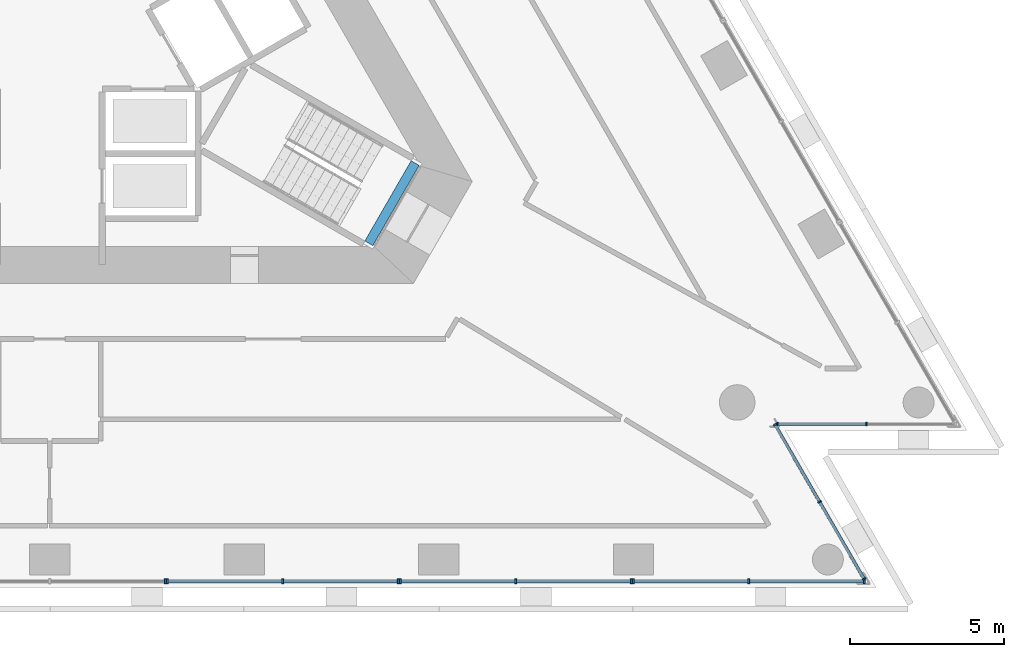
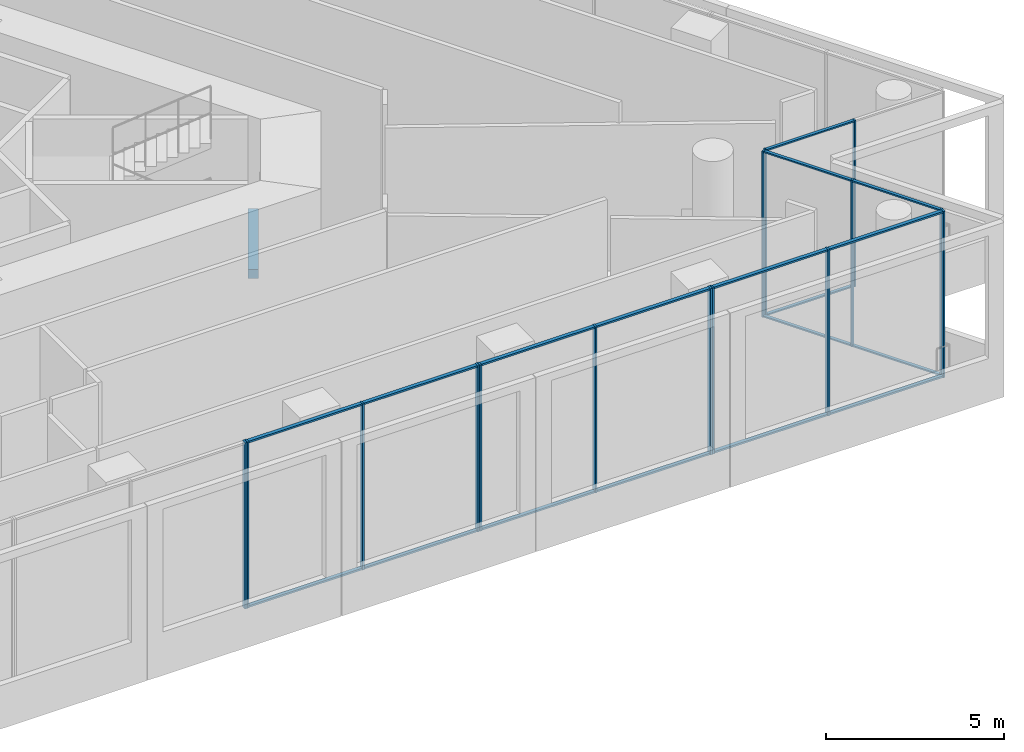
# One storey, part 5 of 18: 33 members, 1 beam, 6 elements without a shape of their own.
"""IFC4 building model written with IfcOpenShell, lengths in metres."""

from ifc_helpers import new_model, si_unit, direction, frame, origin, origin_2d, place, context, subcontext, project, spatial, rectangle, extrude, material, layer, layer_set, material_profile, profile_set, type_object, element, aggregate, save


model = new_model("IFC4")

# Units and contexts
model_context = context("Model", 3, precision=1e-05, world=origin(), true_north=direction((0.0, 1.0)))
body_context = subcontext(model_context, "Body", "Model", "MODEL_VIEW")
ifc_project = project(units=[si_unit("LENGTHUNIT", "METRE"), si_unit("AREAUNIT", "SQUARE_METRE"), si_unit("VOLUMEUNIT", "CUBIC_METRE"), si_unit("PLANEANGLEUNIT", "RADIAN"), si_unit("MASSUNIT", "GRAM", prefix="KILO")], contexts=[model_context])

# Site, building, storey
site_placement = place(None, origin())
site = spatial("IfcSite", under=ifc_project, at=site_placement, CompositionType="ELEMENT")
building_placement = place(site_placement, origin())
building = spatial("IfcBuilding", under=site, at=building_placement, Name="Triada Interchange Tower", CompositionType="ELEMENT")
storey_placement = place(building_placement, frame((0.0, 0.0, 185.300048828125)))
storey = spatial("IfcBuildingStorey", under=building, at=storey_placement, Name="L43", CompositionType="ELEMENT", Elevation=185.300048828125)

# Beam
ifc_material_1 = material(Name="Concrete C35/45", Category="concrete")
ifc_material_profile_1 = material_profile(ifc_material_1, rectangle(XDim=0.300048828125, YDim=0.300048828125, at=origin_2d()), Name="RC 300x300")
ifc_profile_set_1 = profile_set([ifc_material_profile_1], Name="Concrete C35/45")
beam_type = type_object("IfcBeamType", Name="Landing support beam RC 300x300", PredefinedType="BEAM", material=ifc_profile_set_1)
beam_placement = place(storey_placement, frame((10.3349609375, -7.698974609375, 2.491943359375), z_axis=(0.50002537861, 0.866010750942, 0.0), x_axis=(-0.866010750942, 0.50002537861, 0.0)))
element("IfcBeam", 1, at=beam_placement, inside=storey, type_object=beam_type, Name="Landing support beam S43-3 1", PredefinedType="BEAM", context=body_context, shape_type="SweptSolid", body=[
    extrude(rectangle(XDim=0.300048828125, YDim=0.300048828125, at=origin_2d()), origin(), (0.0, 0.0, 1.0), 2.999755859375),
])

# Curtain wall, member
ifc_material_2 = material(Name="Aluminium framed glazing", Category="aluminium")
ifc_layer_1 = layer(ifc_material_2, 0.199951171875)
ifc_layer_set_1 = layer_set([ifc_layer_1], Name="Curtain wall Sky lobby glazing")
curtain_wall_type_1 = type_object("IfcCurtainWallType", Name="Curtain wall Sky lobby glazing", PredefinedType="NOTDEFINED", material=ifc_layer_set_1)
curtain_wall_1_placement = place(storey_placement, origin())
curtain_wall_1 = element("IfcCurtainWall", 2, at=curtain_wall_1_placement, inside=storey, type_object=curtain_wall_type_1, Name="Sky lobby glazing CW113 L43", PredefinedType="NOTDEFINED")
ifc_material_3 = material(Name="Aluminium", Category="aluminium")
ifc_material_profile_2 = material_profile(ifc_material_3, rectangle(XDim=0.159912109375, YDim=0.06005859375, at=origin_2d()), Name="Aluminium mullion")
ifc_profile_set_2 = profile_set([ifc_material_profile_2], Name="Aluminium")
member_type_1 = type_object("IfcMemberType", Name="Mullion Sky lobby glazing 160x60", PredefinedType="MULLION", material=ifc_profile_set_2)
member_1_placement = place(storey_placement, frame((3.738037109375, -18.64111328125, 0.0), z_axis=(0.0, 0.0, 1.0), x_axis=(0.0, 1.0, 0.0)))
member_1 = element("IfcMember", 3, at=member_1_placement, type_object=member_type_1, Name="CW113 mullion 3", PredefinedType="MULLION", context=body_context, shape_type="SweptSolid", body=[
    extrude(rectangle(XDim=0.159912109375, YDim=0.06005859375, at=origin_2d()), origin(), (0.0, 0.0, 1.0), 5.699951171875),
])
aggregate(curtain_wall_1, [member_1])

# Curtain wall, members
curtain_wall_2_placement = place(storey_placement, origin())
curtain_wall_2 = element("IfcCurtainWall", 4, at=curtain_wall_2_placement, inside=storey, type_object=curtain_wall_type_1, Name="Sky lobby glazing CW114 L43", PredefinedType="NOTDEFINED")
member_2_placement = place(storey_placement, frame((3.80810546875, -18.64111328125, 0.0), z_axis=(0.0, 0.0, 1.0), x_axis=(0.0, 1.0, 0.0)))
member_2 = element("IfcMember", 5, at=member_2_placement, type_object=member_type_1, Name="CW114 mullion 1", PredefinedType="MULLION", context=body_context, shape_type="SweptSolid", body=[
    extrude(rectangle(XDim=0.159912109375, YDim=0.06005859375, at=origin_2d()), origin(), (0.0, 0.0, 1.0), 5.699951171875),
])
member_3_placement = place(storey_placement, frame((7.54638671875, -18.64111328125, 0.0), z_axis=(0.0, 0.0, 1.0), x_axis=(0.0, 1.0, 0.0)))
member_3 = element("IfcMember", 6, at=member_3_placement, type_object=member_type_1, Name="CW114 mullion 2", PredefinedType="MULLION", context=body_context, shape_type="SweptSolid", body=[
    extrude(rectangle(XDim=0.159912109375, YDim=0.06005859375, at=origin_2d()), origin(), (0.0, 0.0, 1.0), 5.699951171875),
])
member_4_placement = place(storey_placement, frame((11.284912109375, -18.64111328125, 0.0), z_axis=(0.0, 0.0, 1.0), x_axis=(0.0, 1.0, 0.0)))
member_4 = element("IfcMember", 7, at=member_4_placement, type_object=member_type_1, Name="CW114 mullion 3", PredefinedType="MULLION", context=body_context, shape_type="SweptSolid", body=[
    extrude(rectangle(XDim=0.159912109375, YDim=0.06005859375, at=origin_2d()), origin(), (0.0, 0.0, 1.0), 5.699951171875),
])

curtain_wall_3_placement = place(storey_placement, origin())
curtain_wall_3 = element("IfcCurtainWall", 8, at=curtain_wall_3_placement, inside=storey, type_object=curtain_wall_type_1, Name="Sky lobby glazing CW115 L43", PredefinedType="NOTDEFINED")
member_5_placement = place(storey_placement, frame((11.35498046875, -18.64111328125, 0.0), z_axis=(0.0, 0.0, 1.0), x_axis=(0.0, 1.0, 0.0)))
member_5 = element("IfcMember", 9, at=member_5_placement, type_object=member_type_1, Name="CW115 mullion 1", PredefinedType="MULLION", context=body_context, shape_type="SweptSolid", body=[
    extrude(rectangle(XDim=0.159912109375, YDim=0.06005859375, at=origin_2d()), origin(), (0.0, 0.0, 1.0), 5.699951171875),
])
member_6_placement = place(storey_placement, frame((15.093505859375, -18.64111328125, 0.0), z_axis=(0.0, 0.0, 1.0), x_axis=(0.0, 1.0, 0.0)))
member_6 = element("IfcMember", 10, at=member_6_placement, type_object=member_type_1, Name="CW115 mullion 2", PredefinedType="MULLION", context=body_context, shape_type="SweptSolid", body=[
    extrude(rectangle(XDim=0.159912109375, YDim=0.06005859375, at=origin_2d()), origin(), (0.0, 0.0, 1.0), 5.699951171875),
])
member_7_placement = place(storey_placement, frame((18.83203125, -18.64111328125, 0.0), z_axis=(0.0, 0.0, 1.0), x_axis=(0.0, 1.0, 0.0)))
member_7 = element("IfcMember", 11, at=member_7_placement, type_object=member_type_1, Name="CW115 mullion 3", PredefinedType="MULLION", context=body_context, shape_type="SweptSolid", body=[
    extrude(rectangle(XDim=0.159912109375, YDim=0.06005859375, at=origin_2d()), origin(), (0.0, 0.0, 1.0), 5.699951171875),
])

curtain_wall_4_placement = place(storey_placement, origin())
curtain_wall_4 = element("IfcCurtainWall", 12, at=curtain_wall_4_placement, inside=storey, type_object=curtain_wall_type_1, Name="Sky lobby glazing CW116 L43", PredefinedType="NOTDEFINED")
member_8_placement = place(storey_placement, frame((18.902099609375, -18.64111328125, 0.0), z_axis=(0.0, 0.0, 1.0), x_axis=(0.0, 1.0, 0.0)))
member_8 = element("IfcMember", 13, at=member_8_placement, type_object=member_type_1, Name="CW116 mullion 1", PredefinedType="MULLION", context=body_context, shape_type="SweptSolid", body=[
    extrude(rectangle(XDim=0.159912109375, YDim=0.06005859375, at=origin_2d()), origin(), (0.0, 0.0, 1.0), 5.699951171875),
])
member_9_placement = place(storey_placement, frame((22.64306640625, -18.64111328125, 0.0), z_axis=(0.0, 0.0, 1.0), x_axis=(0.0, 1.0, 0.0)))
member_9 = element("IfcMember", 14, at=member_9_placement, type_object=member_type_1, Name="CW116 mullion 2", PredefinedType="MULLION", context=body_context, shape_type="SweptSolid", body=[
    extrude(rectangle(XDim=0.159912109375, YDim=0.06005859375, at=origin_2d()), origin(), (0.0, 0.0, 1.0), 5.699951171875),
])
member_10_placement = place(storey_placement, frame((26.384033203125, -18.64111328125, 0.0), z_axis=(0.0, 0.0, 1.0), x_axis=(0.0, 1.0, 0.0)))
member_10 = element("IfcMember", 15, at=member_10_placement, type_object=member_type_1, Name="CW116 mullion 3", PredefinedType="MULLION", context=body_context, shape_type="SweptSolid", body=[
    extrude(rectangle(XDim=0.159912109375, YDim=0.06005859375, at=origin_2d()), origin(), (0.0, 0.0, 1.0), 5.699951171875),
])

ifc_layer_2 = layer(ifc_material_2, 0.199951171875)
ifc_layer_set_2 = layer_set([ifc_layer_2], Name="Curtain wall Winter garden glazing")
curtain_wall_type_2 = type_object("IfcCurtainWallType", Name="Curtain wall Winter garden glazing", PredefinedType="NOTDEFINED", material=ifc_layer_set_2)
curtain_wall_5_placement = place(storey_placement, origin())
curtain_wall_5 = element("IfcCurtainWall", 16, at=curtain_wall_5_placement, inside=storey, type_object=curtain_wall_type_2, Name="Winter garden glazing CW117 L43", PredefinedType="NOTDEFINED")
ifc_material_profile_3 = material_profile(ifc_material_3, rectangle(XDim=0.1201171875, YDim=0.050048828125, at=origin_2d()), Name="Aluminium mullion")
ifc_profile_set_3 = profile_set([ifc_material_profile_3], Name="Aluminium")
member_type_2 = type_object("IfcMemberType", Name="Mullion Winter garden glazing 120x50", PredefinedType="MULLION", material=ifc_profile_set_3)
member_11_placement = place(storey_placement, frame((26.37158203125, -18.5673828125, 0.0), z_axis=(0.0, 0.0, 1.0), x_axis=(-0.866022320766, -0.500005339907, 0.0)))
member_11 = element("IfcMember", 17, at=member_11_placement, type_object=member_type_2, Name="CW117 mullion 1", PredefinedType="MULLION", context=body_context, shape_type="SweptSolid", body=[
    extrude(rectangle(XDim=0.1201171875, YDim=0.050048828125, at=origin_2d()), origin(), (0.0, 0.0, 1.0), 5.699951171875),
])
member_12_placement = place(storey_placement, frame((24.930419921875, -16.071533203125, 0.0), z_axis=(0.0, 0.0, 1.0), x_axis=(-0.866022320766, -0.500005339907, 0.0)))
member_12 = element("IfcMember", 18, at=member_12_placement, type_object=member_type_2, Name="CW117 mullion 2", PredefinedType="MULLION", context=body_context, shape_type="SweptSolid", body=[
    extrude(rectangle(XDim=0.1201171875, YDim=0.050048828125, at=origin_2d()), origin(), (0.0, 0.0, 1.0), 5.699951171875),
])
member_13_placement = place(storey_placement, frame((23.489501953125, -13.57568359375, 0.0), z_axis=(0.0, 0.0, 1.0), x_axis=(-0.866022320766, -0.500005339907, 0.0)))
member_13 = element("IfcMember", 19, at=member_13_placement, type_object=member_type_2, Name="CW117 mullion 3", PredefinedType="MULLION", context=body_context, shape_type="SweptSolid", body=[
    extrude(rectangle(XDim=0.1201171875, YDim=0.050048828125, at=origin_2d()), origin(), (0.0, 0.0, 1.0), 5.699951171875),
])

curtain_wall_6_placement = place(storey_placement, origin())
curtain_wall_6 = element("IfcCurtainWall", 20, at=curtain_wall_6_placement, inside=storey, type_object=curtain_wall_type_2, Name="Winter garden glazing CW118 L43", PredefinedType="NOTDEFINED")
member_14_placement = place(storey_placement, frame((23.56201171875, -13.553955078125, 0.0), z_axis=(0.0, 0.0, 1.0), x_axis=(0.0, 1.0, 0.0)))
member_14 = element("IfcMember", 21, at=member_14_placement, type_object=member_type_2, Name="CW118 mullion 1", PredefinedType="MULLION", context=body_context, shape_type="SweptSolid", body=[
    extrude(rectangle(XDim=0.1201171875, YDim=0.050048828125, at=origin_2d()), origin(), (0.0, 0.0, 1.0), 5.699951171875),
])
member_15_placement = place(storey_placement, frame((26.444091796875, -13.553955078125, 0.0), z_axis=(0.0, 0.0, 1.0), x_axis=(0.0, 1.0, 0.0)))
member_15 = element("IfcMember", 22, at=member_15_placement, type_object=member_type_2, Name="CW118 mullion 2", PredefinedType="MULLION", context=body_context, shape_type="SweptSolid", body=[
    extrude(rectangle(XDim=0.1201171875, YDim=0.050048828125, at=origin_2d()), origin(), (0.0, 0.0, 1.0), 5.699951171875),
])

# Member
ifc_material_profile_4 = material_profile(ifc_material_3, rectangle(XDim=0.1201171875, YDim=0.06005859375, at=origin_2d()), Name="Aluminium transom")
ifc_profile_set_4 = profile_set([ifc_material_profile_4], Name="Aluminium")
member_type_3 = type_object("IfcMemberType", Name="Transom Sky lobby glazing 120x60", PredefinedType="USERDEFINED", material=ifc_profile_set_4)
member_16_placement = place(storey_placement, frame((3.837890625, -18.64111328125, 0.030029296875), z_axis=(1.0, 0.0, 0.0), x_axis=(0.0, 1.0, 0.0)))
member_16 = element("IfcMember", 23, at=member_16_placement, type_object=member_type_3, Name="CW114 transom 1.1", ObjectType="TRANSOM", PredefinedType="USERDEFINED", context=body_context, shape_type="SweptSolid", body=[
    extrude(rectangle(XDim=0.1201171875, YDim=0.06005859375, at=origin_2d()), origin(), (0.0, 0.0, 1.0), 3.6787109375),
])

member_17_placement = place(storey_placement, frame((3.837890625, -18.64111328125, 5.669921875), z_axis=(1.0, 0.0, 0.0), x_axis=(0.0, 1.0, 0.0)))
member_17 = element("IfcMember", 24, at=member_17_placement, type_object=member_type_3, Name="CW114 transom 1.2", ObjectType="TRANSOM", PredefinedType="USERDEFINED", context=body_context, shape_type="SweptSolid", body=[
    extrude(rectangle(XDim=0.1201171875, YDim=0.06005859375, at=origin_2d()), origin(), (0.0, 0.0, 1.0), 3.6787109375),
])

member_18_placement = place(storey_placement, frame((7.576416015625, -18.64111328125, 0.030029296875), z_axis=(1.0, 0.0, 0.0), x_axis=(0.0, 1.0, 0.0)))
member_18 = element("IfcMember", 25, at=member_18_placement, type_object=member_type_3, Name="CW114 transom 2.1", ObjectType="TRANSOM", PredefinedType="USERDEFINED", context=body_context, shape_type="SweptSolid", body=[
    extrude(rectangle(XDim=0.1201171875, YDim=0.06005859375, at=origin_2d()), origin(), (0.0, 0.0, 1.0), 3.678466796875),
])

member_19_placement = place(storey_placement, frame((7.576416015625, -18.64111328125, 5.669921875), z_axis=(1.0, 0.0, 0.0), x_axis=(0.0, 1.0, 0.0)))
member_19 = element("IfcMember", 26, at=member_19_placement, type_object=member_type_3, Name="CW114 transom 2.2", ObjectType="TRANSOM", PredefinedType="USERDEFINED", context=body_context, shape_type="SweptSolid", body=[
    extrude(rectangle(XDim=0.1201171875, YDim=0.06005859375, at=origin_2d()), origin(), (0.0, 0.0, 1.0), 3.678466796875),
])

aggregate(curtain_wall_2, [member_2, member_3, member_4, member_16, member_17, member_18, member_19])

member_20_placement = place(storey_placement, frame((11.385009765625, -18.64111328125, 0.030029296875), z_axis=(1.0, 0.0, 0.0), x_axis=(0.0, 1.0, 0.0)))
member_20 = element("IfcMember", 27, at=member_20_placement, type_object=member_type_3, Name="CW115 transom 1.1", ObjectType="TRANSOM", PredefinedType="USERDEFINED", context=body_context, shape_type="SweptSolid", body=[
    extrude(rectangle(XDim=0.1201171875, YDim=0.06005859375, at=origin_2d()), origin(), (0.0, 0.0, 1.0), 3.678466796875),
])

member_21_placement = place(storey_placement, frame((11.385009765625, -18.64111328125, 5.669921875), z_axis=(1.0, 0.0, 0.0), x_axis=(0.0, 1.0, 0.0)))
member_21 = element("IfcMember", 28, at=member_21_placement, type_object=member_type_3, Name="CW115 transom 1.2", ObjectType="TRANSOM", PredefinedType="USERDEFINED", context=body_context, shape_type="SweptSolid", body=[
    extrude(rectangle(XDim=0.1201171875, YDim=0.06005859375, at=origin_2d()), origin(), (0.0, 0.0, 1.0), 3.678466796875),
])

member_22_placement = place(storey_placement, frame((15.12353515625, -18.64111328125, 0.030029296875), z_axis=(1.0, 0.0, 0.0), x_axis=(0.0, 1.0, 0.0)))
member_22 = element("IfcMember", 29, at=member_22_placement, type_object=member_type_3, Name="CW115 transom 2.1", ObjectType="TRANSOM", PredefinedType="USERDEFINED", context=body_context, shape_type="SweptSolid", body=[
    extrude(rectangle(XDim=0.1201171875, YDim=0.06005859375, at=origin_2d()), origin(), (0.0, 0.0, 1.0), 3.678466796875),
])

member_23_placement = place(storey_placement, frame((15.12353515625, -18.64111328125, 5.669921875), z_axis=(1.0, 0.0, 0.0), x_axis=(0.0, 1.0, 0.0)))
member_23 = element("IfcMember", 30, at=member_23_placement, type_object=member_type_3, Name="CW115 transom 2.2", ObjectType="TRANSOM", PredefinedType="USERDEFINED", context=body_context, shape_type="SweptSolid", body=[
    extrude(rectangle(XDim=0.1201171875, YDim=0.06005859375, at=origin_2d()), origin(), (0.0, 0.0, 1.0), 3.678466796875),
])

aggregate(curtain_wall_3, [member_5, member_6, member_7, member_20, member_21, member_22, member_23])

member_24_placement = place(storey_placement, frame((18.931884765625, -18.64111328125, 0.030029296875), z_axis=(1.0, 0.0, 0.0), x_axis=(0.0, 1.0, 0.0)))
member_24 = element("IfcMember", 31, at=member_24_placement, type_object=member_type_3, Name="CW116 transom 1.1", ObjectType="TRANSOM", PredefinedType="USERDEFINED", context=body_context, shape_type="SweptSolid", body=[
    extrude(rectangle(XDim=0.1201171875, YDim=0.06005859375, at=origin_2d()), origin(), (0.0, 0.0, 1.0), 3.68115234375),
])

member_25_placement = place(storey_placement, frame((18.931884765625, -18.64111328125, 5.669921875), z_axis=(1.0, 0.0, 0.0), x_axis=(0.0, 1.0, 0.0)))
member_25 = element("IfcMember", 32, at=member_25_placement, type_object=member_type_3, Name="CW116 transom 1.2", ObjectType="TRANSOM", PredefinedType="USERDEFINED", context=body_context, shape_type="SweptSolid", body=[
    extrude(rectangle(XDim=0.1201171875, YDim=0.06005859375, at=origin_2d()), origin(), (0.0, 0.0, 1.0), 3.68115234375),
])

member_26_placement = place(storey_placement, frame((22.673095703125, -18.64111328125, 0.030029296875), z_axis=(1.0, 0.0, 0.0), x_axis=(0.0, 1.0, 0.0)))
member_26 = element("IfcMember", 33, at=member_26_placement, type_object=member_type_3, Name="CW116 transom 2.1", ObjectType="TRANSOM", PredefinedType="USERDEFINED", context=body_context, shape_type="SweptSolid", body=[
    extrude(rectangle(XDim=0.1201171875, YDim=0.06005859375, at=origin_2d()), origin(), (0.0, 0.0, 1.0), 3.680908203125),
])

member_27_placement = place(storey_placement, frame((22.673095703125, -18.64111328125, 5.669921875), z_axis=(1.0, 0.0, 0.0), x_axis=(0.0, 1.0, 0.0)))
member_27 = element("IfcMember", 34, at=member_27_placement, type_object=member_type_3, Name="CW116 transom 2.2", ObjectType="TRANSOM", PredefinedType="USERDEFINED", context=body_context, shape_type="SweptSolid", body=[
    extrude(rectangle(XDim=0.1201171875, YDim=0.06005859375, at=origin_2d()), origin(), (0.0, 0.0, 1.0), 3.680908203125),
])

aggregate(curtain_wall_4, [member_8, member_9, member_10, member_24, member_25, member_26, member_27])

ifc_material_profile_5 = material_profile(ifc_material_3, rectangle(XDim=0.10009765625, YDim=0.050048828125, at=origin_2d()), Name="Aluminium transom")
ifc_profile_set_5 = profile_set([ifc_material_profile_5], Name="Aluminium")
member_type_4 = type_object("IfcMemberType", Name="Transom Winter garden glazing 100x50", PredefinedType="USERDEFINED", material=ifc_profile_set_5)
member_28_placement = place(storey_placement, frame((26.35888671875, -18.545654296875, 0.02490234375), z_axis=(-0.499968738436, 0.866043451904, 0.0), x_axis=(-0.866043451904, -0.499968738436, 0.0)))
member_28 = element("IfcMember", 35, at=member_28_placement, type_object=member_type_4, Name="CW117 transom 1.1", ObjectType="TRANSOM", PredefinedType="USERDEFINED", context=body_context, shape_type="SweptSolid", body=[
    extrude(rectangle(XDim=0.10009765625, YDim=0.050048828125, at=origin_2d()), origin(), (0.0, 0.0, 1.0), 2.831787109375),
])

member_29_placement = place(storey_placement, frame((26.35888671875, -18.545654296875, 5.675048828125), z_axis=(-0.499968738436, 0.866043451904, 0.0), x_axis=(-0.866043451904, -0.499968738436, 0.0)))
member_29 = element("IfcMember", 36, at=member_29_placement, type_object=member_type_4, Name="CW117 transom 1.2", ObjectType="TRANSOM", PredefinedType="USERDEFINED", context=body_context, shape_type="SweptSolid", body=[
    extrude(rectangle(XDim=0.10009765625, YDim=0.050048828125, at=origin_2d()), origin(), (0.0, 0.0, 1.0), 2.831787109375),
])

member_30_placement = place(storey_placement, frame((24.91796875, -16.0498046875, 0.02490234375), z_axis=(-0.500033399229, 0.866006119872, 0.0), x_axis=(-0.866006119872, -0.500033399229, 0.0)))
member_30 = element("IfcMember", 37, at=member_30_placement, type_object=member_type_4, Name="CW117 transom 2.1", ObjectType="TRANSOM", PredefinedType="USERDEFINED", context=body_context, shape_type="SweptSolid", body=[
    extrude(rectangle(XDim=0.10009765625, YDim=0.050048828125, at=origin_2d()), origin(), (0.0, 0.0, 1.0), 2.831787109375),
])

member_31_placement = place(storey_placement, frame((24.91796875, -16.0498046875, 5.675048828125), z_axis=(-0.500033399229, 0.866006119872, 0.0), x_axis=(-0.866006119872, -0.500033399229, 0.0)))
member_31 = element("IfcMember", 38, at=member_31_placement, type_object=member_type_4, Name="CW117 transom 2.2", ObjectType="TRANSOM", PredefinedType="USERDEFINED", context=body_context, shape_type="SweptSolid", body=[
    extrude(rectangle(XDim=0.10009765625, YDim=0.050048828125, at=origin_2d()), origin(), (0.0, 0.0, 1.0), 2.831787109375),
])

aggregate(curtain_wall_5, [member_11, member_12, member_13, member_28, member_29, member_30, member_31])

member_32_placement = place(storey_placement, frame((23.5869140625, -13.553955078125, 0.02490234375), z_axis=(1.0, 0.0, 0.0), x_axis=(0.0, 1.0, 0.0)))
member_32 = element("IfcMember", 39, at=member_32_placement, type_object=member_type_4, Name="CW118 transom 1.1", ObjectType="TRANSOM", PredefinedType="USERDEFINED", context=body_context, shape_type="SweptSolid", body=[
    extrude(rectangle(XDim=0.10009765625, YDim=0.050048828125, at=origin_2d()), origin(), (0.0, 0.0, 1.0), 2.83203125),
])

member_33_placement = place(storey_placement, frame((23.5869140625, -13.553955078125, 5.675048828125), z_axis=(1.0, 0.0, 0.0), x_axis=(0.0, 1.0, 0.0)))
member_33 = element("IfcMember", 40, at=member_33_placement, type_object=member_type_4, Name="CW118 transom 1.2", ObjectType="TRANSOM", PredefinedType="USERDEFINED", context=body_context, shape_type="SweptSolid", body=[
    extrude(rectangle(XDim=0.10009765625, YDim=0.050048828125, at=origin_2d()), origin(), (0.0, 0.0, 1.0), 2.83203125),
])

aggregate(curtain_wall_6, [member_14, member_15, member_32, member_33])

save(model, "model.ifc")
